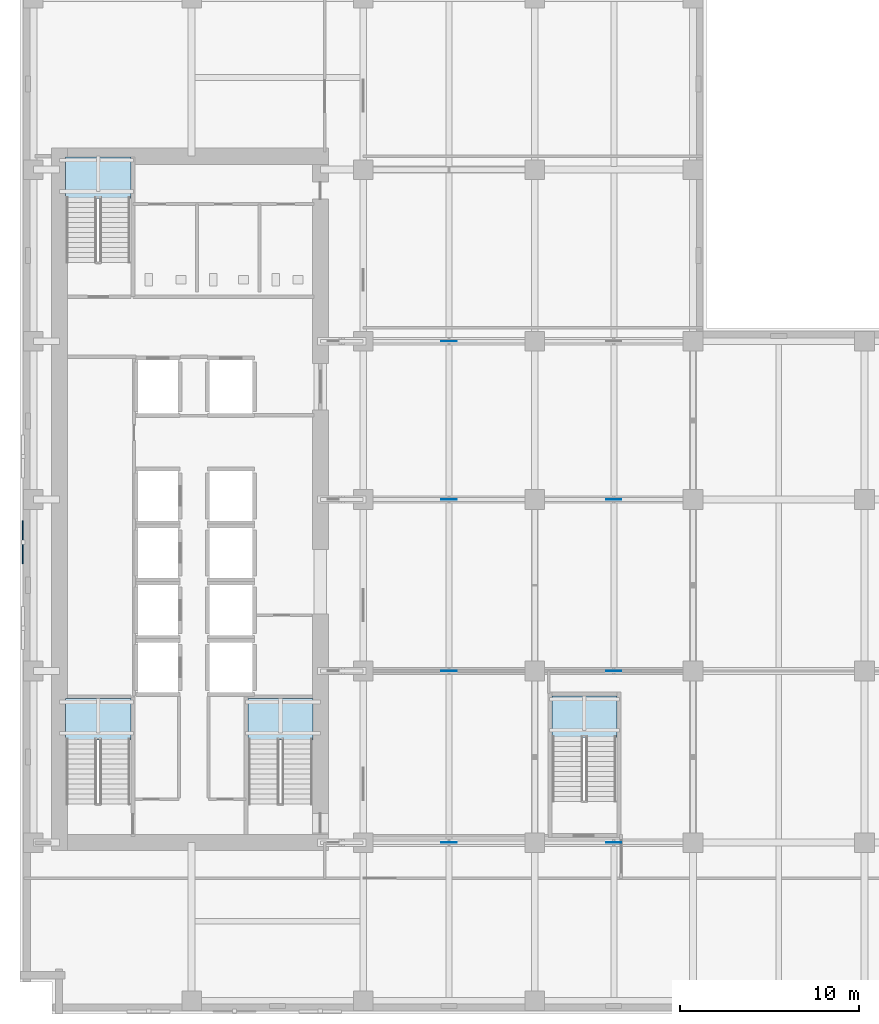
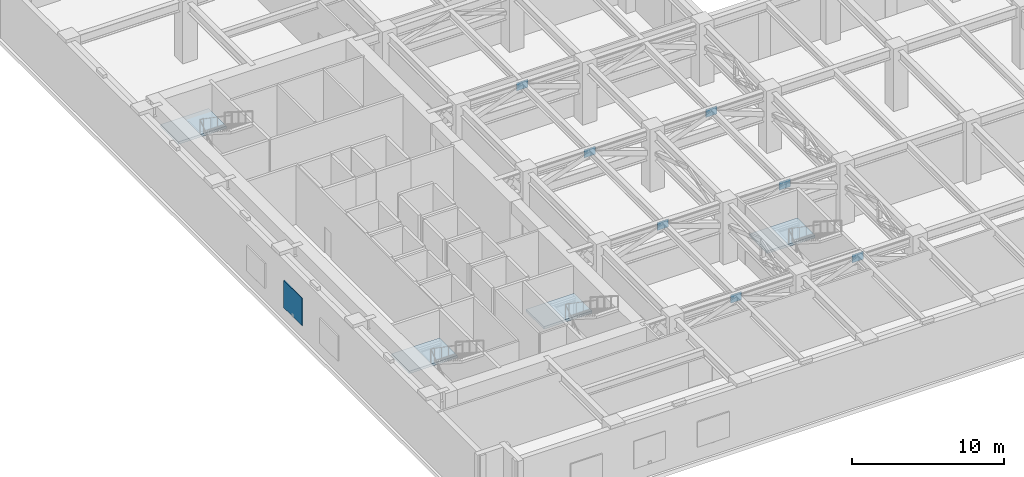
# One storey, part 10 of 22: 8 plates, 4 slabs, 4 elements without a shape of their own.
"""IFC4 building model written with IfcOpenShell, lengths in metres."""

from ifc_helpers import new_model, si_unit, direction, frame, origin, origin_2d, place, context, subcontext, project, spatial, polyline, rectangle, outline, extrude, material, layer, layer_set, type_object, element, aggregate, save


model = new_model("IFC4")

# Units and contexts
model_context = context("Model", 3, precision=1e-05, world=origin(), true_north=direction((0.0, 1.0)))
body_context = subcontext(model_context, "Body", "Model", "MODEL_VIEW")
ifc_project = project(units=[si_unit("LENGTHUNIT", "METRE"), si_unit("AREAUNIT", "SQUARE_METRE"), si_unit("VOLUMEUNIT", "CUBIC_METRE"), si_unit("PLANEANGLEUNIT", "RADIAN"), si_unit("MASSUNIT", "GRAM", prefix="KILO")], contexts=[model_context])

# Site, building, storey
site_placement = place(None, origin())
site = spatial("IfcSite", under=ifc_project, at=site_placement, CompositionType="ELEMENT")
building_placement = place(site_placement, origin())
building = spatial("IfcBuilding", under=site, at=building_placement, Name="Norrvale University Quadrangle", CompositionType="ELEMENT")
storey_placement = place(building_placement, frame((0.0, 0.0, 96.39990234375)))
storey = spatial("IfcBuildingStorey", under=building, at=storey_placement, Name="L24", CompositionType="ELEMENT", Elevation=96.39990234375)

# Plates
ifc_material_1 = material(Name="Perforated Acoustic Aluminium Screen", Category="aluminium")
ifc_layer_1 = layer(ifc_material_1, 0.06005859375, Name="Perforated Acoustic Aluminium Screen")
ifc_layer_set_1 = layer_set([ifc_layer_1], Name="Perforated Acoustic Aluminium Screen")
plate_type_1 = type_object("IfcPlateType", Name="Plate Crown Screen 60", PredefinedType="USERDEFINED", material=ifc_layer_set_1)
plate_placement = place(storey_placement, frame((0.159912109375, 26.39990234375, 1.0), z_axis=(0.0, 0.0, 1.0), x_axis=(0.0, -1.0, 0.0)))
element("IfcPlate", 1, at=plate_placement, inside=storey, type_object=plate_type_1, Name="Acoustic Louvered Crown Screen 004", ObjectType="CROWN SCREEN", PredefinedType="USERDEFINED", context=body_context, shape_type="SweptSolid", body=[
    extrude(rectangle(XDim=2.39990234375, YDim=0.06005859375, at=origin_2d()), origin(), (0.0, 0.0, 1.0), 2.199951171875),
])
ifc_material_2 = material(Name="Steel 350W", Category="steel")
ifc_layer_2 = layer(ifc_material_2, 0.02490234375, Name="Steel 350W")
ifc_layer_set_2 = layer_set([ifc_layer_2], Name="Steel 350W")
plate_type_2 = type_object("IfcPlateType", Name="Plate Gusset 25", PredefinedType="USERDEFINED", material=ifc_layer_set_2)
for number, where, z_axis, x_axis, name in (
    (2, (24.0, 9.60009765625, 4.065185546875), (0.0, 0.0, 1.0), (1.0, 0.0, 0.0), "Outrigger Truss Gusset Plate 03"),
    (3, (33.22509765625, 9.60009765625, 4.065185546875), (0.0, 0.0, 1.0), (1.0, 0.0, 0.0), "Outrigger Truss Gusset Plate 04"),
    (4, (24.0, 19.199951171875, 4.065185546875), (0.0, 0.0, 1.0), (1.0, 0.0, 0.0), "Outrigger Truss Gusset Plate 07"),
    (5, (33.22509765625, 19.199951171875, 4.065185546875), (0.0, 0.0, 1.0), (1.0, 0.0, 0.0), "Outrigger Truss Gusset Plate 08"),
    (6, (24.0, 28.800048828125, 4.065185546875), (0.0, 0.0, 1.0), (1.0, 0.0, 0.0), "Outrigger Truss Gusset Plate 11"),
    (7, (33.22509765625, 28.800048828125, 4.065185546875), (0.0, 0.0, 1.0), (1.0, 0.0, 0.0), "Outrigger Truss Gusset Plate 12"),
    (8, (24.0, 37.64990234375, 4.065185546875), (0.0, 0.0, 1.0), (1.0, 0.0, 0.0), "Outrigger Truss Gusset Plate 15"),
):
    element("IfcPlate", number, at=place(storey_placement, frame(where, z_axis=z_axis, x_axis=x_axis)), inside=storey, type_object=plate_type_2, Name=name, ObjectType="GUSSET_PLATE", PredefinedType="USERDEFINED", context=body_context, shape_type="SweptSolid", body=[
        extrude(rectangle(XDim=0.85009765625, YDim=0.02490234375, at=origin_2d()), origin(), (0.0, 0.0, 1.0), 0.64990234375),
    ])

# Stair, slab
ifc_material_3 = material(Name="Concrete C40/50", Category="concrete")
stair_type = type_object("IfcStairType", Name="Stair Tower Plant 5000", PredefinedType="TWO_STRAIGHT_RUN_STAIR", material=ifc_material_3)
stair_1_placement = place(storey_placement, origin())
stair_1 = element("IfcStair", 9, at=stair_1_placement, inside=storey, type_object=stair_type, Name="Exit Stair ST-01 L24", PredefinedType="TWO_STRAIGHT_RUN_STAIR")
ifc_layer_3 = layer(ifc_material_3, 0.199951171875, Name="Concrete C40/50")
ifc_layer_set_3 = layer_set([ifc_layer_3], Name="Concrete C40/50")
slab_type = type_object("IfcSlabType", Name="Slab Landing 200", PredefinedType="LANDING", material=ifc_layer_set_3)
slab_1_placement = place(storey_placement, frame((0.0, 0.0, 2.300048828125)))
slab_1 = element("IfcSlab", 10, at=slab_1_placement, type_object=slab_type, Name="Exit Stair ST-01 L24 Mid Landing", PredefinedType="LANDING", context=body_context, shape_type="SweptSolid", body=[
    extrude(outline(polyline([(2.550048828125, 15.330078125), (6.199951171875, 15.330078125), (6.199951171875, 17.64990234375), (2.550048828125, 17.64990234375), (2.550048828125, 15.330078125)])), origin(), (0.0, 0.0, 1.0), 0.199951171875),
])
aggregate(stair_1, [slab_1])

stair_2_placement = place(storey_placement, origin())
stair_2 = element("IfcStair", 11, at=stair_2_placement, inside=storey, type_object=stair_type, Name="Exit Stair ST-02 L24", PredefinedType="TWO_STRAIGHT_RUN_STAIR")
slab_2_placement = place(storey_placement, frame((0.0, 0.0, 2.300048828125)))
slab_2 = element("IfcSlab", 12, at=slab_2_placement, type_object=slab_type, Name="Exit Stair ST-02 L24 Mid Landing", PredefinedType="LANDING", context=body_context, shape_type="SweptSolid", body=[
    extrude(outline(polyline([(2.550048828125, 45.6298828125), (6.199951171875, 45.6298828125), (6.199951171875, 47.949951171875), (2.550048828125, 47.949951171875), (2.550048828125, 45.6298828125)])), origin(), (0.0, 0.0, 1.0), 0.199951171875),
])
aggregate(stair_2, [slab_2])

stair_3_placement = place(storey_placement, origin())
stair_3 = element("IfcStair", 13, at=stair_3_placement, inside=storey, type_object=stair_type, Name="Exit Stair ST-03 L24", PredefinedType="TWO_STRAIGHT_RUN_STAIR")
slab_3_placement = place(storey_placement, frame((0.0, 0.0, 2.300048828125)))
slab_3 = element("IfcSlab", 14, at=slab_3_placement, type_object=slab_type, Name="Exit Stair ST-03 L24 Mid Landing", PredefinedType="LANDING", context=body_context, shape_type="SweptSolid", body=[
    extrude(outline(polyline([(12.75, 15.330078125), (16.39990234375, 15.330078125), (16.39990234375, 17.64990234375), (12.75, 17.64990234375), (12.75, 15.330078125)])), origin(), (0.0, 0.0, 1.0), 0.199951171875),
])
aggregate(stair_3, [slab_3])

stair_4_placement = place(storey_placement, origin())
stair_4 = element("IfcStair", 15, at=stair_4_placement, inside=storey, type_object=stair_type, Name="Exit Stair ST-04 L24", PredefinedType="TWO_STRAIGHT_RUN_STAIR")
slab_4_placement = place(storey_placement, frame((0.0, 0.0, 2.300048828125)))
slab_4 = element("IfcSlab", 16, at=slab_4_placement, type_object=slab_type, Name="Exit Stair ST-04 L24 Mid Landing", PredefinedType="LANDING", context=body_context, shape_type="SweptSolid", body=[
    extrude(outline(polyline([(29.75, 15.47998046875), (33.39990234375, 15.47998046875), (33.39990234375, 17.800048828125), (29.75, 17.800048828125), (29.75, 15.47998046875)])), origin(), (0.0, 0.0, 1.0), 0.199951171875),
])
aggregate(stair_4, [slab_4])

save(model, "model.ifc")
